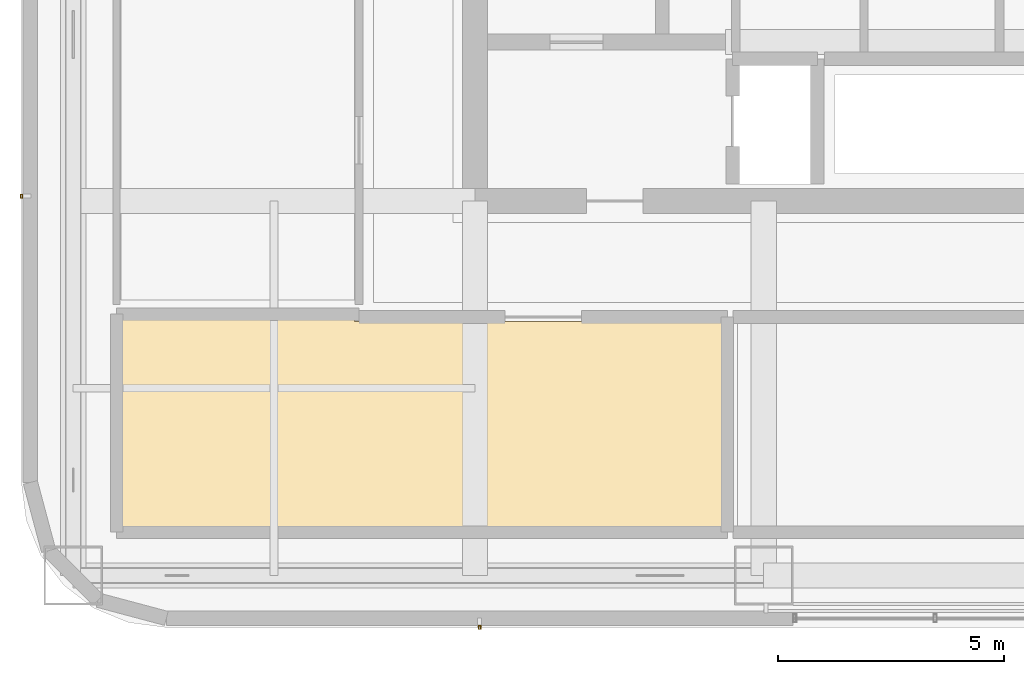
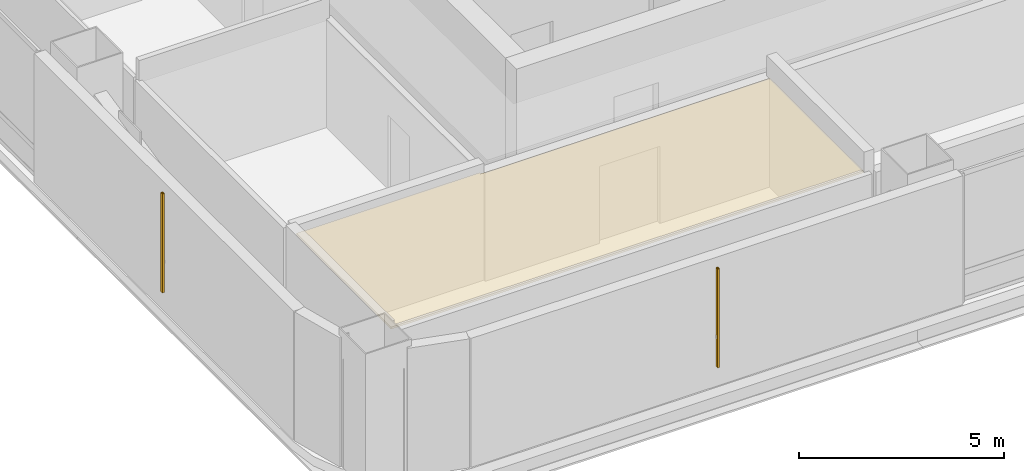
# One storey, part 21 of 30: 2 shading devices, 1 covering.
"""IFC4 building model written with IfcOpenShell, lengths in metres."""

from ifc_helpers import new_model, si_unit, direction, frame, origin, origin_2d, place, context, subcontext, project, spatial, polyline, hollow_rectangle, outline, extrude, material, layer, layer_set, material_profile, profile_set, type_object, element, save


model = new_model("IFC4")

# Units and contexts
model_context = context("Model", 3, precision=1e-05, world=origin(), true_north=direction((0.0, 1.0)))
body_context = subcontext(model_context, "Body", "Model", "MODEL_VIEW")
ifc_project = project(units=[si_unit("LENGTHUNIT", "METRE"), si_unit("AREAUNIT", "SQUARE_METRE"), si_unit("VOLUMEUNIT", "CUBIC_METRE"), si_unit("PLANEANGLEUNIT", "RADIAN"), si_unit("MASSUNIT", "GRAM", prefix="KILO")], contexts=[model_context])

# Site, building, storey
site_placement = place(None, origin())
site = spatial("IfcSite", under=ifc_project, at=site_placement, CompositionType="ELEMENT")
building_placement = place(site_placement, origin())
building = spatial("IfcBuilding", under=site, at=building_placement, Name="Punatoya Terracotta Tower", CompositionType="ELEMENT")
storey_placement = place(building_placement, frame((0.0, 0.0, 251.39990234375)))
storey = spatial("IfcBuildingStorey", under=building, at=storey_placement, Name="L59", CompositionType="ELEMENT", Elevation=251.39990234375)

# Covering
ifc_material_1 = material(Name="Acoustic Mineral Fibre Ceiling")
ifc_layer = layer(ifc_material_1, 0.06005859375)
ifc_layer_set = layer_set([ifc_layer], Name="Acoustic Mineral Fibre Ceiling")
covering_type = type_object("IfcCoveringType", Name="COV-CEIL-60", PredefinedType="CEILING", material=ifc_layer_set)
covering_placement = place(storey_placement, frame((0.0, 0.0, 3.16015625)))
element("IfcCovering", 1, at=covering_placement, inside=storey, type_object=covering_type, Name="L59 Client Dining Salon Acoustic Ceiling", PredefinedType="CEILING", context=body_context, shape_type="SweptSolid", body=[
    extrude(outline(polyline([(-12.8701171875, -11.8701171875), (-12.8701171875, -11.81005859375), (-18.0400390625, -11.81005859375), (-18.0400390625, -16.43994140625), (-4.705078125, -16.43994140625), (-4.705078125, -11.8701171875), (-12.8701171875, -11.8701171875)])), origin(), (0.0, 0.0, 1.0), 0.06005859375),
])

# Shading devices
ifc_material_2 = material(Name="Architectural Fired Terracotta", Category="masonry")
ifc_material_profile = material_profile(ifc_material_2, hollow_rectangle(XDim=0.06005859375, YDim=0.090087890625, WallThickness=0.013916015625, at=origin_2d()))
ifc_profile_set = profile_set([ifc_material_profile], Name="Architectural Fired Terracotta")
shading_device_type = type_object("IfcShadingDeviceType", Name="SHD-JALI-90", PredefinedType="JALOUSIE", material=ifc_profile_set)
for number, where, z_axis, x_axis, name in (
    (2, (-10.093505859375, -18.64990234375, 0.60009765625), (0.0, 0.0, 1.0), (1.0, 0.0, 0.0), "L59 Braced Bay Terracotta Jali Fin S1"),
    (3, (-20.25, -9.093505859375, 0.60009765625), (0.0, 0.0, 1.0), (1.0, 0.0, 0.0), "L59 Braced Bay Terracotta Jali Fin W2"),
):
    element("IfcShadingDevice", number, at=place(storey_placement, frame(where, z_axis=z_axis, x_axis=x_axis)), inside=storey, type_object=shading_device_type, Name=name, PredefinedType="JALOUSIE", context=body_context, shape_type="SweptSolid", body=[
        extrude(hollow_rectangle(XDim=0.06005859375, YDim=0.090087890625, WallThickness=0.013916015625, at=origin_2d()), origin(), (0.0, 0.0, 1.0), 2.949951171875),
    ])

save(model, "model.ifc")
